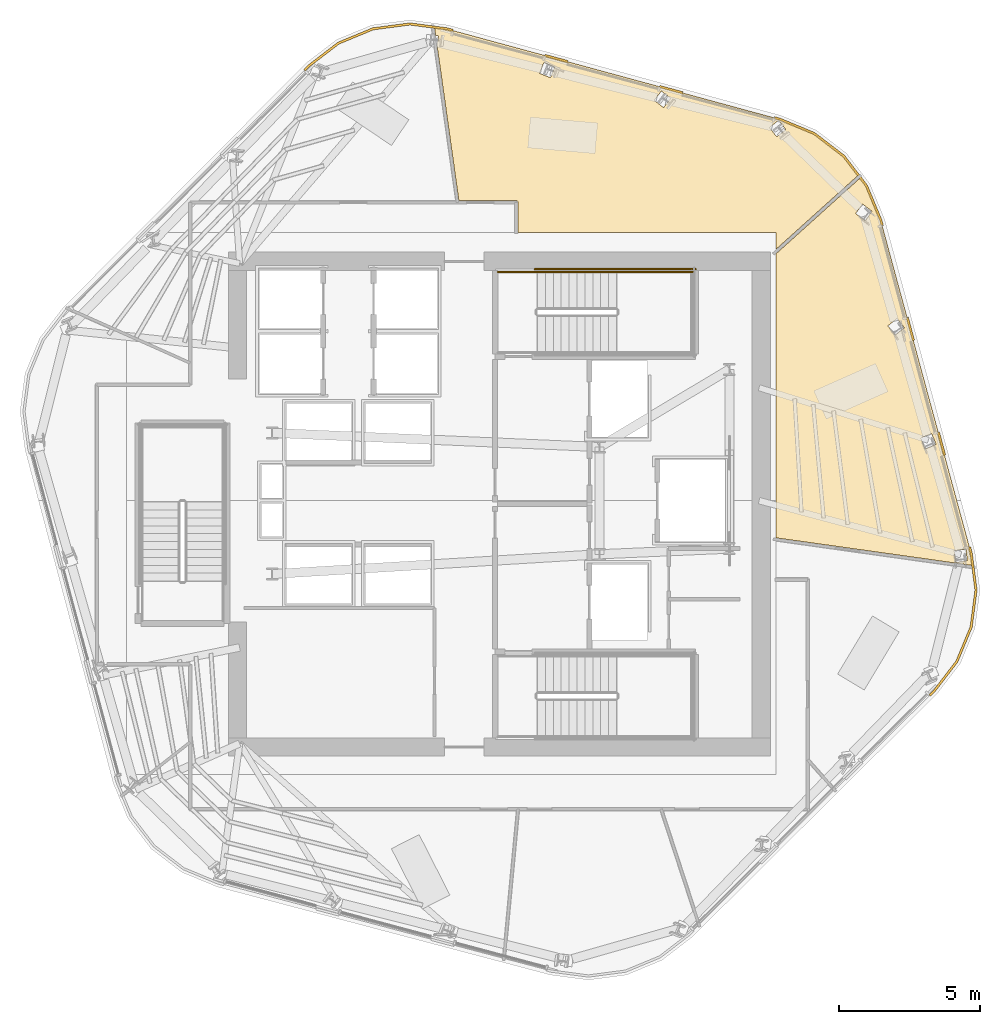
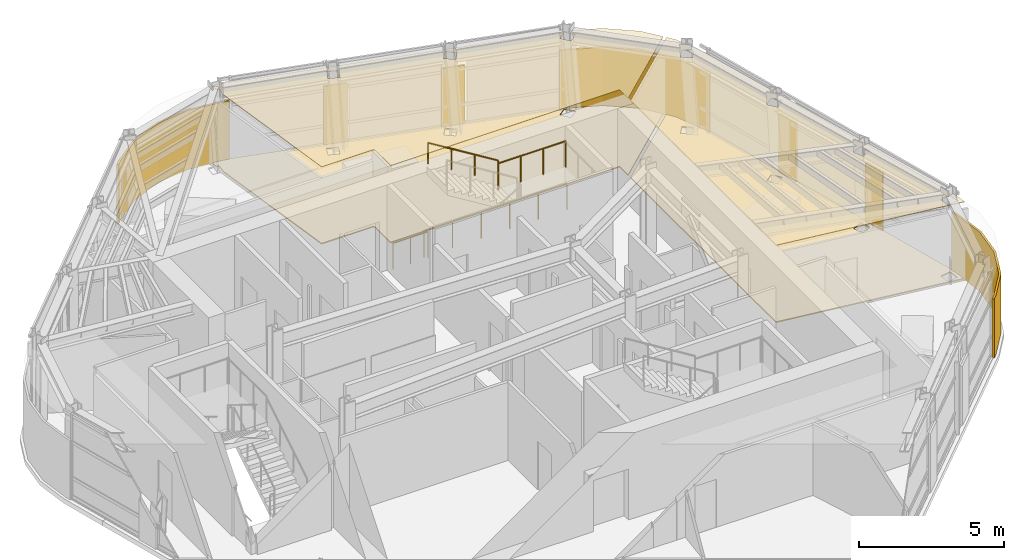
# One storey, part 12 of 13: 11 coverings, 4 railings.
"""IFC4 building model written with IfcOpenShell, lengths in metres."""

from ifc_helpers import new_model, si_unit, direction, frame, origin, origin_2d, place, context, subcontext, project, spatial, polyline, circle, outline, extrude, material, layer, layer_set, type_object, element, save


model = new_model("IFC4")

# Units and contexts
model_context = context("Model", 3, precision=1e-05, world=origin(), true_north=direction((0.0, 1.0)))
body_context = subcontext(model_context, "Body", "Model", "MODEL_VIEW")
ifc_project = project(units=[si_unit("LENGTHUNIT", "METRE"), si_unit("AREAUNIT", "SQUARE_METRE"), si_unit("VOLUMEUNIT", "CUBIC_METRE"), si_unit("PLANEANGLEUNIT", "RADIAN"), si_unit("MASSUNIT", "GRAM", prefix="KILO")], contexts=[model_context])

# Site, building, storey
site_placement = place(None, origin())
site = spatial("IfcSite", under=ifc_project, at=site_placement, CompositionType="ELEMENT")
building_placement = place(site_placement, origin())
building = spatial("IfcBuilding", under=site, at=building_placement, Name="Valkerne Bourse Tower", CompositionType="ELEMENT")
storey_placement = place(building_placement, frame((0.0, 0.0, 217.0)))
storey = spatial("IfcBuildingStorey", under=building, at=storey_placement, Name="L55", CompositionType="ELEMENT", Elevation=217.0)

# Coverings
ifc_material_1 = material(Name="Mineral Fiber Acoustic Ceiling Tile", Category="acoustic")
ifc_layer_1 = layer(ifc_material_1, 0.02490234375)
ifc_layer_set_1 = layer_set([ifc_layer_1], Name="Mineral Fiber Acoustic Ceiling Tile")
covering_type_1 = type_object("IfcCoveringType", Name="COV-CEIL-ACT", PredefinedType="CEILING", material=ifc_layer_set_1)
covering_1_placement = place(storey_placement, frame((0.0, 0.0, 3.25)))
element("IfcCovering", 1, at=covering_1_placement, inside=storey, type_object=covering_type_1, Name="L55 Suspended Ceiling 10", PredefinedType="CEILING", context=body_context, shape_type="SweptSolid", body=[
    extrude(outline(polyline([(57.950927734375, 40.001220703125), (58.997802734375, 39.19775390625), (59.51318359375, 38.5263671875), (56.60009765625, 35.9033203125), (56.60009765625, 36.5), (47.468994140625, 36.5), (47.468994140625, 37.563232421875), (47.458984375, 37.595947265625), (47.43505859375, 37.61962890625), (47.400390625, 37.62890625), (45.36572265625, 37.62890625), (44.597412109375, 43.0966796875), (44.64208984375, 43.46435546875), (44.5439453125, 43.4765625), (44.50341796875, 43.76513671875), (44.948974609375, 43.706298828125), (56.722900390625, 40.509765625), (57.950927734375, 40.001220703125)]), holes=[polyline([(56.69580078125, 40.468994140625), (56.69384765625, 40.470458984375), (56.368896484375, 40.21728515625), (56.622314453125, 39.890869140625), (56.62451171875, 39.889404296875), (56.949462890625, 40.142333984375), (56.69580078125, 40.468994140625)]), polyline([(52.538330078125, 41.50390625), (52.536376953125, 41.504638671875), (52.2861328125, 41.177490234375), (52.614501953125, 40.926025390625), (52.616455078125, 40.925048828125), (52.86669921875, 41.252197265625), (52.538330078125, 41.50390625)]), polyline([(48.7626953125, 42.36474609375), (48.37841796875, 42.517578125), (48.376220703125, 42.51806640625), (48.224365234375, 42.13525390625), (48.608642578125, 41.982177734375), (48.61083984375, 41.98193359375), (48.7626953125, 42.36474609375)])]), origin(), (0.0, 0.0, 1.0), 0.02490234375),
])
covering_2_placement = place(storey_placement, frame((0.0, 0.0, 3.25)))
element("IfcCovering", 2, at=covering_2_placement, inside=storey, type_object=covering_type_1, Name="L55 Suspended Ceiling 11", PredefinedType="CEILING", context=body_context, shape_type="SweptSolid", body=[
    extrude(outline(polyline([(59.585205078125, 38.432373046875), (59.801025390625, 38.15087890625), (60.309814453125, 36.9228515625), (63.50634765625, 25.14892578125), (63.565185546875, 24.703369140625), (56.60009765625, 25.682373046875), (56.60009765625, 35.74462890625), (59.585205078125, 38.432373046875)]), holes=[polyline([(63.377197265625, 24.877685546875), (63.32080078125, 25.284912109375), (62.91015625, 25.22802734375), (62.909912109375, 25.225830078125), (62.966552734375, 24.818603515625), (63.376953125, 24.875244140625), (63.377197265625, 24.877685546875)]), polyline([(62.268798828125, 28.99560546875), (62.11083984375, 29.375244140625), (61.728271484375, 29.216552734375), (61.728515625, 29.21435546875), (61.886474609375, 28.834716796875), (62.26904296875, 28.993408203125), (62.268798828125, 28.99560546875)]), polyline([(61.143310546875, 33.126708984375), (60.88818359375, 33.448974609375), (60.56298828125, 33.192138671875), (60.56396484375, 33.190185546875), (60.819091796875, 32.86767578125), (61.144287109375, 33.12451171875), (61.143310546875, 33.126708984375)]), polyline([(59.996826171875, 37.25439453125), (59.66845703125, 37.50146484375), (59.4189453125, 37.170654296875), (59.42041015625, 37.168701171875), (59.748779296875, 36.921630859375), (59.998291015625, 37.25244140625), (59.996826171875, 37.25439453125)])]), origin(), (0.0, 0.0, 1.0), 0.02490234375),
])
ifc_material_2 = material(Name="Bronze Anodised Aluminium AA 6063-T6", Category="aluminium")
ifc_layer_2 = layer(ifc_material_2, 0.06005859375)
ifc_layer_set_2 = layer_set([ifc_layer_2], Name="Bronze Anodised Aluminium AA 6063-T6")
covering_type_2 = type_object("IfcCoveringType", Name="COV-CRN-ALUM", PredefinedType="CLADDING", material=ifc_layer_set_2)
covering_3_placement = place(storey_placement, origin())
element("IfcCovering", 3, at=covering_3_placement, inside=storey, type_object=covering_type_2, Name="L55 Wind-Shaped Corner Aluminium Cladding 01", PredefinedType="CLADDING", context=body_context, shape_type="SweptSolid", body=[
    extrude(outline(polyline([(63.72412109375, 23.83154296875), (63.550537109375, 22.51171875), (63.041015625, 21.281982421875), (62.226806640625, 20.220703125), (62.072998046875, 20.06787109375), (62.0166015625, 20.12451171875), (62.166748046875, 20.273681640625), (62.97119140625, 21.322265625), (63.472412109375, 22.53271484375), (63.6435546875, 23.83154296875), (63.470947265625, 25.141845703125), (63.41552734375, 25.34619140625), (63.492919921875, 25.36669921875), (63.549560546875, 25.15771484375), (63.72412109375, 23.83154296875)])), origin(), (0.0, 0.0, 1.0), 2.5),
])
covering_4_placement = place(storey_placement, origin())
element("IfcCovering", 4, at=covering_4_placement, inside=storey, type_object=covering_type_2, Name="L55 Wind-Shaped Corner Aluminium Cladding 13", PredefinedType="CLADDING", context=body_context, shape_type="SweptSolid", body=[
    extrude(outline(polyline([(40.020751953125, 42.427001953125), (41.081787109375, 43.240966796875), (42.311767578125, 43.75048828125), (43.631591796875, 43.92431640625), (44.95751953125, 43.74951171875), (45.166748046875, 43.69287109375), (45.14599609375, 43.615478515625), (44.94189453125, 43.6708984375), (43.631591796875, 43.843505859375), (42.33251953125, 43.672607421875), (41.122314453125, 43.171142578125), (40.07373046875, 42.36669921875), (39.924560546875, 42.216552734375), (39.867919921875, 42.273193359375), (40.020751953125, 42.427001953125)])), origin(), (0.0, 0.0, 1.0), 2.5),
])
covering_5_placement = place(storey_placement, origin())
element("IfcCovering", 5, at=covering_5_placement, inside=storey, type_object=covering_type_2, Name="L55 Wind-Shaped Corner Aluminium Cladding 14", PredefinedType="CLADDING", context=body_context, shape_type="SweptSolid", body=[
    extrude(outline(polyline([(49.231689453125, 42.589111328125), (49.2109375, 42.511962890625), (48.400390625, 42.732177734375), (48.4208984375, 42.809326171875), (49.231689453125, 42.589111328125)])), origin(), (0.0, 0.0, 1.0), 2.5),
])
covering_6_placement = place(storey_placement, origin())
element("IfcCovering", 6, at=covering_6_placement, inside=storey, type_object=covering_type_2, Name="L55 Wind-Shaped Corner Aluminium Cladding 15", PredefinedType="CLADDING", context=body_context, shape_type="SweptSolid", body=[
    extrude(outline(polyline([(53.296630859375, 41.485595703125), (53.27587890625, 41.408447265625), (52.465087890625, 41.62841796875), (52.48583984375, 41.705810546875), (53.296630859375, 41.485595703125)])), origin(), (0.0, 0.0, 1.0), 2.5),
])
covering_7_placement = place(storey_placement, origin())
element("IfcCovering", 7, at=covering_7_placement, inside=storey, type_object=covering_type_2, Name="L55 Wind-Shaped Corner Aluminium Cladding 16", PredefinedType="CLADDING", context=body_context, shape_type="SweptSolid", body=[
    extrude(outline(polyline([(56.737060546875, 40.551513671875), (57.97314453125, 40.03955078125), (59.029296875, 39.229248046875), (59.839599609375, 38.173095703125), (60.3515625, 36.93701171875), (60.402099609375, 36.750732421875), (60.324951171875, 36.72998046875), (60.275634765625, 36.9111328125), (59.769775390625, 38.1328125), (58.97216796875, 39.172119140625), (57.932861328125, 39.9697265625), (56.711181640625, 40.4755859375), (56.530029296875, 40.52490234375), (56.55078125, 40.602294921875), (56.737060546875, 40.551513671875)])), origin(), (0.0, 0.0, 1.0), 2.5),
])
covering_8_placement = place(storey_placement, origin())
element("IfcCovering", 8, at=covering_8_placement, inside=storey, type_object=covering_type_2, Name="L55 Wind-Shaped Corner Aluminium Cladding 17", PredefinedType="CLADDING", context=body_context, shape_type="SweptSolid", body=[
    extrude(outline(polyline([(61.505615234375, 32.685791015625), (61.428466796875, 32.665283203125), (61.20849609375, 33.475830078125), (61.28564453125, 33.49658203125), (61.505615234375, 32.685791015625)])), origin(), (0.0, 0.0, 1.0), 2.5),
])
covering_9_placement = place(storey_placement, origin())
element("IfcCovering", 9, at=covering_9_placement, inside=storey, type_object=covering_type_2, Name="L55 Wind-Shaped Corner Aluminium Cladding 18", PredefinedType="CLADDING", context=body_context, shape_type="SweptSolid", body=[
    extrude(outline(polyline([(62.609375, 28.62109375), (62.531982421875, 28.600341796875), (62.31201171875, 29.410888671875), (62.38916015625, 29.431640625), (62.609375, 28.62109375)])), origin(), (0.0, 0.0, 1.0), 2.5),
])
ifc_material_3 = material(Name="Galvanised Painted Steel", Category="steel")
ifc_layer_3 = layer(ifc_material_3, 0.044921875)
ifc_layer_set_3 = layer_set([ifc_layer_3], Name="Galvanised Painted Steel")
covering_type_3 = type_object("IfcCoveringType", Name="COV-FLR-RAF", PredefinedType="FLOORING", material=ifc_layer_set_3)
covering_10_placement = place(storey_placement, origin())
element("IfcCovering", 10, at=covering_10_placement, inside=storey, type_object=covering_type_3, Name="L55 Floor Finish 10", PredefinedType="FLOORING", context=body_context, shape_type="SweptSolid", body=[
    extrude(outline(polyline([(57.950927734375, 40.001220703125), (58.997802734375, 39.19775390625), (59.51318359375, 38.5263671875), (56.60009765625, 35.9033203125), (56.60009765625, 36.5), (47.468994140625, 36.5), (47.468994140625, 37.563232421875), (47.458984375, 37.595947265625), (47.43505859375, 37.61962890625), (47.400390625, 37.62890625), (45.36572265625, 37.62890625), (44.597412109375, 43.0966796875), (44.64208984375, 43.46435546875), (44.5439453125, 43.4765625), (44.50341796875, 43.76513671875), (44.948974609375, 43.706298828125), (56.722900390625, 40.509765625), (57.950927734375, 40.001220703125)]), holes=[polyline([(56.69580078125, 40.468994140625), (56.69384765625, 40.470458984375), (56.368896484375, 40.21728515625), (56.622314453125, 39.890869140625), (56.62451171875, 39.889404296875), (56.949462890625, 40.142333984375), (56.69580078125, 40.468994140625)]), polyline([(52.538330078125, 41.50390625), (52.536376953125, 41.504638671875), (52.2861328125, 41.177490234375), (52.614501953125, 40.926025390625), (52.616455078125, 40.925048828125), (52.86669921875, 41.252197265625), (52.538330078125, 41.50390625)]), polyline([(48.7626953125, 42.36474609375), (48.37841796875, 42.517578125), (48.376220703125, 42.51806640625), (48.224365234375, 42.13525390625), (48.608642578125, 41.982177734375), (48.61083984375, 41.98193359375), (48.7626953125, 42.36474609375)])]), origin(), (0.0, 0.0, 1.0), 0.044921875),
])
covering_11_placement = place(storey_placement, origin())
element("IfcCovering", 11, at=covering_11_placement, inside=storey, type_object=covering_type_3, Name="L55 Floor Finish 11", PredefinedType="FLOORING", context=body_context, shape_type="SweptSolid", body=[
    extrude(outline(polyline([(59.585205078125, 38.432373046875), (59.801025390625, 38.15087890625), (60.309814453125, 36.9228515625), (63.50634765625, 25.14892578125), (63.565185546875, 24.703369140625), (56.60009765625, 25.682373046875), (56.60009765625, 35.74462890625), (59.585205078125, 38.432373046875)]), holes=[polyline([(63.377197265625, 24.877685546875), (63.32080078125, 25.284912109375), (62.91015625, 25.22802734375), (62.909912109375, 25.225830078125), (62.966552734375, 24.818603515625), (63.376953125, 24.875244140625), (63.377197265625, 24.877685546875)]), polyline([(62.268798828125, 28.99560546875), (62.11083984375, 29.375244140625), (61.728271484375, 29.216552734375), (61.728515625, 29.21435546875), (61.886474609375, 28.834716796875), (62.26904296875, 28.993408203125), (62.268798828125, 28.99560546875)]), polyline([(61.143310546875, 33.126708984375), (60.88818359375, 33.448974609375), (60.56298828125, 33.192138671875), (60.56396484375, 33.190185546875), (60.819091796875, 32.86767578125), (61.144287109375, 33.12451171875), (61.143310546875, 33.126708984375)]), polyline([(59.996826171875, 37.25439453125), (59.66845703125, 37.50146484375), (59.4189453125, 37.170654296875), (59.42041015625, 37.168701171875), (59.748779296875, 36.921630859375), (59.998291015625, 37.25244140625), (59.996826171875, 37.25439453125)])]), origin(), (0.0, 0.0, 1.0), 0.044921875),
])

# Railings
railing_type_1 = type_object("IfcRailingType", Name="RLG-ST-GUARD-1120", PredefinedType="GUARDRAIL", material=ifc_material_3)
railing_1_placement = place(storey_placement, frame((50.949951171875, 35.10009765625, 1.89990234375)))
element("IfcRailing", 12, at=railing_1_placement, inside=storey, type_object=railing_type_1, Name="L55 ST-2 stair guard 4", PredefinedType="GUARDRAIL", context=body_context, shape_type="SweptSolid", body=[
    extrude(circle(Radius=0.02392578125, at=origin_2d()), frame((0.0, 0.0, 1.09619140625), z_axis=(1.0, 0.0, 0.0), x_axis=(0.0, 1.0, 0.0)), (0.0, 0.0, 1.0), 2.699951171875),
    extrude(circle(Radius=0.02099609375, at=origin_2d()), origin(), (0.0, 0.0, 1.0), 1.072021484375),
    extrude(circle(Radius=0.02099609375, at=origin_2d()), frame((0.89990234375, 0.0, 0.0)), (0.0, 0.0, 1.0), 1.072021484375),
    extrude(circle(Radius=0.02099609375, at=origin_2d()), frame((1.800048828125, 0.0, 0.0)), (0.0, 0.0, 1.0), 1.072021484375),
    extrude(circle(Radius=0.02099609375, at=origin_2d()), frame((2.699951171875, 0.0, 0.0)), (0.0, 0.0, 1.0), 1.072021484375),
])
railing_2_placement = place(storey_placement, frame((46.75, 35.10009765625, 0.0)))
element("IfcRailing", 13, at=railing_2_placement, inside=storey, type_object=railing_type_1, Name="L55 ST-2 stair guard 9", PredefinedType="GUARDRAIL", context=body_context, shape_type="SweptSolid", body=[
    extrude(circle(Radius=0.02392578125, at=origin_2d()), frame((0.0, 0.0, 1.09619140625), z_axis=(1.0, 0.0, 0.0), x_axis=(0.0, 1.0, 0.0)), (0.0, 0.0, 1.0), 1.39990234375),
    extrude(circle(Radius=0.02099609375, at=origin_2d()), origin(), (0.0, 0.0, 1.0), 1.072021484375),
    extrude(circle(Radius=0.02099609375, at=origin_2d()), frame((0.699951171875, 0.0, 0.0)), (0.0, 0.0, 1.0), 1.072021484375),
    extrude(circle(Radius=0.02099609375, at=origin_2d()), frame((1.39990234375, 0.0, 0.0)), (0.0, 0.0, 1.0), 1.072021484375),
])
railing_3_placement = place(storey_placement, frame((48.050048828125, 35.199951171875, 0.0)))
element("IfcRailing", 14, at=railing_3_placement, inside=storey, type_object=railing_type_1, Name="L55 ST-2 stair guard 11", PredefinedType="GUARDRAIL", context=body_context, shape_type="SweptSolid", body=[
    extrude(circle(Radius=0.02392578125, at=origin_2d()), frame((0.0, 0.0, 1.09619140625), z_axis=(1.0, 0.0, 0.0), x_axis=(0.0, 1.0, 0.0)), (0.0, 0.0, 1.0), 5.699951171875),
    extrude(circle(Radius=0.02099609375, at=origin_2d()), origin(), (0.0, 0.0, 1.0), 1.072021484375),
    extrude(circle(Radius=0.02099609375, at=origin_2d()), frame((1.139892578125, 0.0, 0.0)), (0.0, 0.0, 1.0), 1.072021484375),
    extrude(circle(Radius=0.02099609375, at=origin_2d()), frame((2.280029296875, 0.0, 0.0)), (0.0, 0.0, 1.0), 1.072021484375),
    extrude(circle(Radius=0.02099609375, at=origin_2d()), frame((3.419921875, 0.0, 0.0)), (0.0, 0.0, 1.0), 1.072021484375),
    extrude(circle(Radius=0.02099609375, at=origin_2d()), frame((4.56005859375, 0.0, 0.0)), (0.0, 0.0, 1.0), 1.072021484375),
    extrude(circle(Radius=0.02099609375, at=origin_2d()), frame((5.699951171875, 0.0, 0.0)), (0.0, 0.0, 1.0), 1.072021484375),
])
ifc_material_4 = material(Name="Stainless Steel AISI 316", Category="steel")
railing_type_2 = type_object("IfcRailingType", Name="RLG-ST-HANDRAIL-900", PredefinedType="HANDRAIL", material=ifc_material_4)
railing_4_placement = place(storey_placement, frame((50.949951171875, 35.10009765625, 2.245361328125)))
element("IfcRailing", 15, at=railing_4_placement, inside=storey, type_object=railing_type_2, Name="L55 ST-2 stair handrail 2", PredefinedType="HANDRAIL", context=body_context, shape_type="SweptSolid", body=[
    extrude(circle(Radius=0.02392578125, at=origin_2d()), frame((0.0, 0.0, 0.8759765625), z_axis=(-0.851089632645, 0.0, 0.525020415988), x_axis=(0.0, -1.0, 0.0)), (0.0, 0.0, 1.0), 3.2900390625),
    extrude(circle(Radius=0.02099609375, at=origin_2d()), origin(), (0.0, 0.0, 1.0), 0.851806640625),
    extrude(circle(Radius=0.02099609375, at=origin_2d()), frame((-0.933349609375, 0.0, 0.57568359375)), (0.0, 0.0, 1.0), 0.851806640625),
    extrude(circle(Radius=0.02099609375, at=origin_2d()), frame((-1.86669921875, 0.0, 1.151611328125)), (0.0, 0.0, 1.0), 0.851806640625),
    extrude(circle(Radius=0.02099609375, at=origin_2d()), frame((-2.800048828125, 0.0, 1.727294921875)), (0.0, 0.0, 1.0), 0.851806640625),
])

save(model, "model.ifc")
